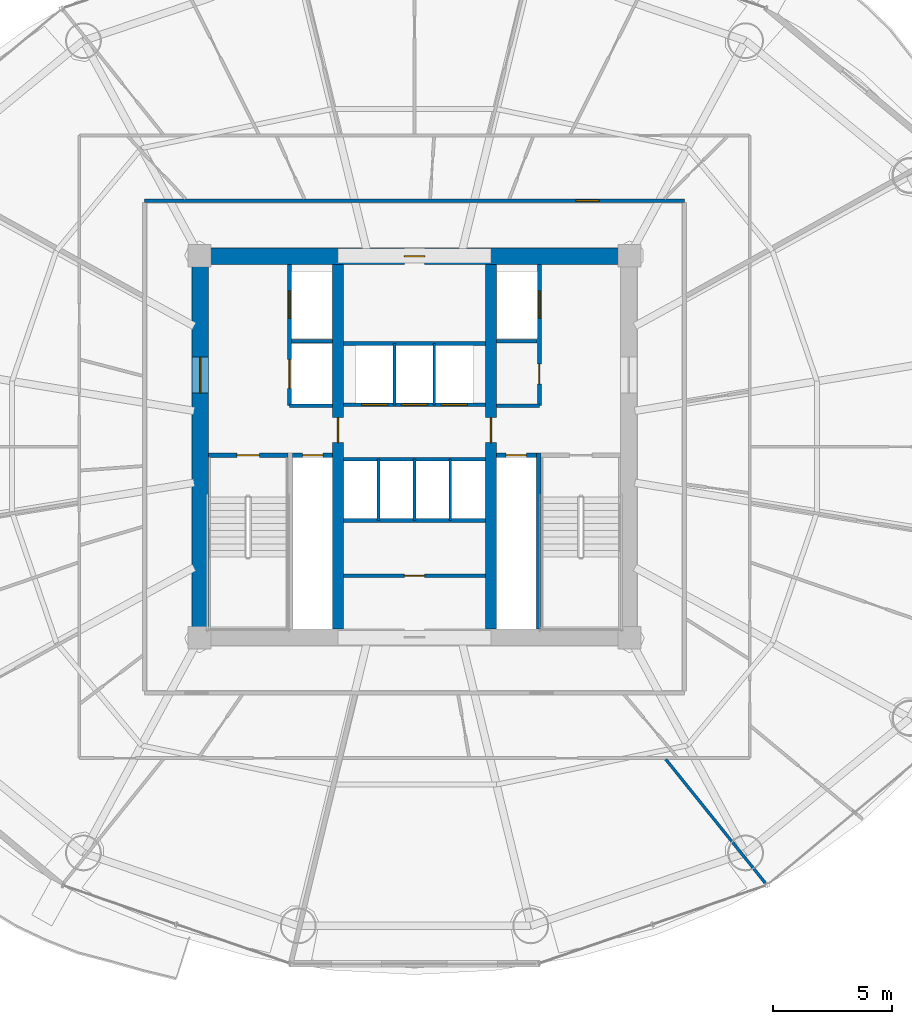
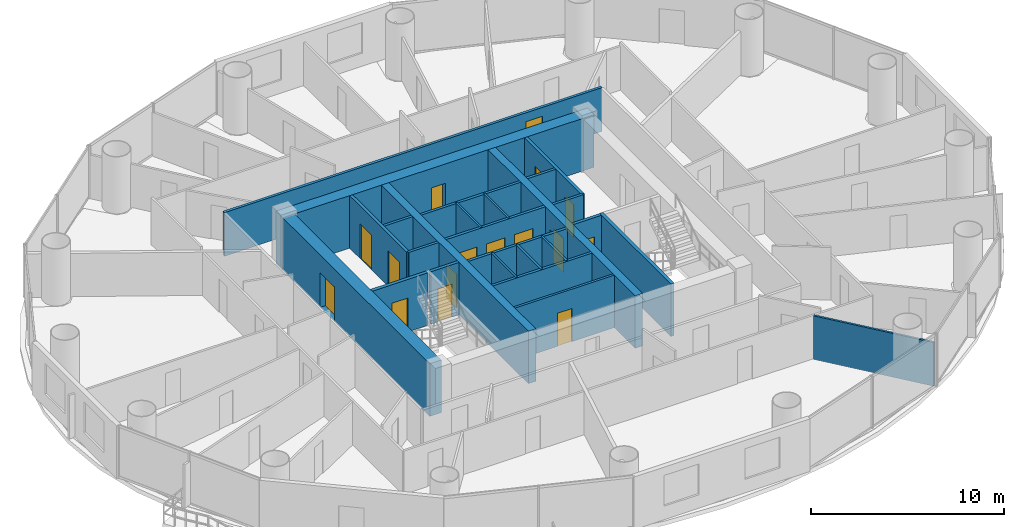
# One storey, part 23 of 29: 26 walls, 16 doors, 16 openings.
"""IFC4 building model written with IfcOpenShell, lengths in metres."""

from ifc_helpers import new_model, si_unit, direction, frame, frame_2d, origin, place, context, subcontext, project, spatial, rectangle, extrude, source, transform, mapped, material, layer, layer_set, type_object, element, fill, save


model = new_model("IFC4")

# Units and contexts
model_context = context("Model", 3, precision=1e-05, world=origin(), true_north=direction((-0.2419218956, 0.970295726276)))
body_context = subcontext(model_context, "Body", "Model", "MODEL_VIEW")
ifc_project = project(units=[si_unit("LENGTHUNIT", "METRE"), si_unit("AREAUNIT", "SQUARE_METRE"), si_unit("VOLUMEUNIT", "CUBIC_METRE"), si_unit("PLANEANGLEUNIT", "RADIAN"), si_unit("MASSUNIT", "GRAM", prefix="KILO")], contexts=[model_context])

# Site, building, storey
site_placement = place(None, origin())
site = spatial("IfcSite", under=ifc_project, at=site_placement, CompositionType="ELEMENT")
building_placement = place(site_placement, origin())
building = spatial("IfcBuilding", under=site, at=building_placement, Name="Cobrevalo Terracotta Tower", CompositionType="ELEMENT")
storey_placement = place(building_placement, frame((0.0, 0.0, 90.60009765625)))
storey = spatial("IfcBuildingStorey", under=building, at=storey_placement, Name="L23", CompositionType="ELEMENT", Elevation=90.60009765625)

# Wall, opening, door
ifc_material_1 = material(Name="Concrete C60", Category="concrete")
ifc_layer_1 = layer(ifc_material_1, 0.699951171875)
ifc_layer_set_1 = layer_set([ifc_layer_1], Name="Concrete C60")
wall_type_1 = type_object("IfcWallType", Name="Core shear wall 700 mm Concrete C60", PredefinedType="SHEAR", material=ifc_layer_set_1)
wall_1_placement = place(storey_placement, frame((28.675048828125, 34.77490234375, 0.0), z_axis=(0.0, 0.0, 1.0), x_axis=(1.0, 0.0, 0.0)))
wall_1 = element("IfcWall", 1, at=wall_1_placement, inside=storey, type_object=wall_type_1, Name="L23 north core shear wall", PredefinedType="SHEAR", context=body_context, shape_type="SweptSolid", body=[
    extrude(rectangle(XDim=18.64990234375, YDim=0.699951171875, at=frame_2d((9.324951171875, 0.0))), origin(), (0.0, 0.0, 1.0), 3.324951171875),
])
opening_1_placement = place(wall_1_placement, frame((8.89990234375, 0.0, 0.0)))
opening_1 = element("IfcOpeningElement", 2, at=opening_1_placement, cuts=wall_1, Name="Opening ID-22", PredefinedType="OPENING", context=body_context, shape_type="SweptSolid", body=[
    extrude(rectangle(XDim=0.85009765625, YDim=2.10009765625, at=frame_2d((0.425048828125, 1.050048828125))), frame((0.0, 0.35986328125, 0.0), z_axis=(0.0, -1.0, 0.0), x_axis=(1.0, 0.0, 0.0)), (0.0, 0.0, 1.0), 0.719970703125),
])
ifc_material_2 = material(Name="Powder-coated steel", Category="steel")
door_type_1 = type_object("IfcDoorType", Name="Riser shaft & meter closet fire access door 850x2100 EI 60", OperationType="NOTDEFINED", PredefinedType="DOOR", material=ifc_material_2)
shared_shape_1 = source(origin(), body_context, "Body", "SweptSolid", [
    extrude(rectangle(XDim=0.85009765625, YDim=2.10009765625, at=frame_2d((0.425048828125, 1.050048828125))), frame((0.0, 0.02490234375, 0.0), z_axis=(0.0, -1.0, 0.0), x_axis=(1.0, 0.0, 0.0)), (0.0, 0.0, 1.0), 0.050048828125),
])
door_1_placement = place(opening_1_placement, frame((0.85009765625, 0.0, 0.0), z_axis=(0.0, 0.0, 1.0), x_axis=(-1.0, 0.0, 0.0)))
door_1 = element("IfcDoor", 3, at=door_1_placement, inside=storey, type_object=door_type_1, Name="L23 core north service door Floor Electrical Switchroom", OperationType="SINGLE_SWING_LEFT", OverallHeight=2.10009765625, OverallWidth=0.85009765625, PredefinedType="DOOR", context=body_context, shape_type="MappedRepresentation", body=[
    mapped(shared_shape_1, transform((0.0, 0.0, 0.0), scale=1.0)),
])
fill(opening_1, door_1)

wall_2_placement = place(storey_placement, frame((29.02490234375, 19.175048828125, 0.0), z_axis=(0.0, 0.0, 1.0), x_axis=(0.0, 1.0, 0.0)))
wall_2 = element("IfcWall", 4, at=wall_2_placement, inside=storey, type_object=wall_type_1, Name="L23 west core shear wall", PredefinedType="SHEAR", context=body_context, shape_type="SweptSolid", body=[
    extrude(rectangle(XDim=15.25, YDim=0.699951171875, at=frame_2d((7.625, 0.0))), origin(), (0.0, 0.0, 1.0), 3.324951171875),
])
opening_2_placement = place(wall_2_placement, frame((9.875, 0.0, 0.0)))
opening_2 = element("IfcOpeningElement", 5, at=opening_2_placement, cuts=wall_2, Name="Opening ID-14", PredefinedType="OPENING", context=body_context, shape_type="SweptSolid", body=[
    extrude(rectangle(XDim=1.5, YDim=2.199951171875, at=frame_2d((0.75, 1.10009765625))), frame((0.0, 0.35986328125, 0.0), z_axis=(0.0, -1.0, 0.0), x_axis=(1.0, 0.0, 0.0)), (0.0, 0.0, 1.0), 0.719970703125),
])
ifc_material_3 = material(Name="Galvanized fire-rated steel", Category="steel")
door_type_2 = type_object("IfcDoorType", Name="Core cross-lobby double fire door 1500x2200 EI 90", OperationType="NOTDEFINED", PredefinedType="DOOR", material=ifc_material_3)
shared_shape_2 = source(origin(), body_context, "Body", "SweptSolid", [
    extrude(rectangle(XDim=1.5, YDim=2.199951171875, at=frame_2d((0.75, 1.10009765625))), frame((0.0, 0.02490234375, 0.0), z_axis=(0.0, -1.0, 0.0), x_axis=(1.0, 0.0, 0.0)), (0.0, 0.0, 1.0), 0.050048828125),
])
door_2_placement = place(opening_2_placement, origin())
door_2 = element("IfcDoor", 6, at=door_2_placement, inside=storey, type_object=door_type_2, Name="L23 west firefighting lobby entrance door", OperationType="DOUBLE_DOOR_SINGLE_SWING", OverallHeight=2.199951171875, OverallWidth=1.5, PredefinedType="DOOR", context=body_context, shape_type="MappedRepresentation", body=[
    mapped(shared_shape_2, transform((0.0, 0.0, 0.0), scale=1.0)),
])
fill(opening_2, door_2)

# Walls
ifc_material_4 = material(Name="Gypsum board on steel stud", Category="steel")
ifc_layer_2 = layer(ifc_material_4, 0.159912109375)
ifc_layer_set_2 = layer_set([ifc_layer_2], Name="Gypsum board on steel stud")
wall_type_2 = type_object("IfcWallType", Name="Fire-rated corridor acoustic partition wall 160 mm", PredefinedType="PARTITIONING", material=ifc_layer_set_2)
wall_3_placement = place(storey_placement, frame((32.860107421875, 31.219970703125, 0.0), z_axis=(0.0, 0.0, 1.0), x_axis=(1.0, 0.0, 0.0)))
element("IfcWall", 7, at=wall_3_placement, inside=storey, type_object=wall_type_2, Name="L23 interior partition IW-L23-FF1-M", PredefinedType="PARTITIONING", context=body_context, shape_type="SweptSolid", body=[
    extrude(rectangle(XDim=1.71484375, YDim=0.159912109375, at=frame_2d((0.857421875, 0.0))), origin(), (0.0, 0.0, 1.0), 3.324951171875),
])
wall_4_placement = place(storey_placement, frame((32.77001953125, 28.52001953125, 0.0), z_axis=(0.0, 0.0, 1.0), x_axis=(1.0, 0.0, 0.0)))
element("IfcWall", 8, at=wall_4_placement, inside=storey, type_object=wall_type_2, Name="L23 interior partition IW-L23-FF1-S", PredefinedType="PARTITIONING", context=body_context, shape_type="SweptSolid", body=[
    extrude(rectangle(XDim=1.804931640625, YDim=0.159912109375, at=frame_2d((0.90234375, 0.0))), origin(), (0.0, 0.0, 1.0), 3.324951171875),
])
wall_5_placement = place(storey_placement, frame((41.425048828125, 31.219970703125, 0.0), z_axis=(0.0, 0.0, 1.0), x_axis=(1.0, 0.0, 0.0)))
element("IfcWall", 9, at=wall_5_placement, inside=storey, type_object=wall_type_2, Name="L23 interior partition IW-L23-FF2-M", PredefinedType="PARTITIONING", context=body_context, shape_type="SweptSolid", body=[
    extrude(rectangle(XDim=1.71484375, YDim=0.159912109375, at=frame_2d((0.857421875, 0.0))), origin(), (0.0, 0.0, 1.0), 3.324951171875),
])
wall_6_placement = place(storey_placement, frame((41.425048828125, 28.52001953125, 0.0), z_axis=(0.0, 0.0, 1.0), x_axis=(1.0, 0.0, 0.0)))
element("IfcWall", 10, at=wall_6_placement, inside=storey, type_object=wall_type_2, Name="L23 interior partition IW-L23-FF2-S", PredefinedType="PARTITIONING", context=body_context, shape_type="SweptSolid", body=[
    extrude(rectangle(XDim=1.804931640625, YDim=0.159912109375, at=frame_2d((0.90234375, 0.0))), origin(), (0.0, 0.0, 1.0), 3.324951171875),
])

# Wall, openings, doors
wall_7_placement = place(storey_placement, frame((35.02490234375, 28.56005859375, 0.0), z_axis=(0.0, 0.0, 1.0), x_axis=(1.0, 0.0, 0.0)))
wall_7 = element("IfcWall", 11, at=wall_7_placement, inside=storey, type_object=wall_type_2, Name="L23 interior partition IW-L23-LB-S", PredefinedType="PARTITIONING", context=body_context, shape_type="SweptSolid", body=[
    extrude(rectangle(XDim=5.9501953125, YDim=0.159912109375, at=frame_2d((2.97509765625, 0.0))), origin(), (0.0, 0.0, 1.0), 3.324951171875),
])
opening_3_placement = place(wall_7_placement, frame((0.760009765625, 0.0, 0.0)))
opening_3 = element("IfcOpeningElement", 12, at=opening_3_placement, cuts=wall_7, Name="Opening LD-01", PredefinedType="OPENING", context=body_context, shape_type="SweptSolid", body=[
    extrude(rectangle(XDim=1.10009765625, YDim=2.199951171875, at=frame_2d((0.550048828125, 1.10009765625))), frame((0.0, 0.08984375, 0.0), z_axis=(0.0, -1.0, 0.0), x_axis=(1.0, 0.0, 0.0)), (0.0, 0.0, 1.0), 0.179931640625),
])
opening_4_placement = place(wall_7_placement, frame((2.425048828125, 0.0, 0.0)))
opening_4 = element("IfcOpeningElement", 13, at=opening_4_placement, cuts=wall_7, Name="Opening LD-01", PredefinedType="OPENING", context=body_context, shape_type="SweptSolid", body=[
    extrude(rectangle(XDim=1.10009765625, YDim=2.199951171875, at=frame_2d((0.550048828125, 1.10009765625))), frame((0.0, 0.08984375, 0.0), z_axis=(0.0, -1.0, 0.0), x_axis=(1.0, 0.0, 0.0)), (0.0, 0.0, 1.0), 0.179931640625),
])
opening_5_placement = place(wall_7_placement, frame((4.090087890625, 0.0, 0.0)))
opening_5 = element("IfcOpeningElement", 14, at=opening_5_placement, cuts=wall_7, Name="Opening LD-01", PredefinedType="OPENING", context=body_context, shape_type="SweptSolid", body=[
    extrude(rectangle(XDim=1.10009765625, YDim=2.199951171875, at=frame_2d((0.550048828125, 1.10009765625))), frame((0.0, 0.08984375, 0.0), z_axis=(0.0, -1.0, 0.0), x_axis=(1.0, 0.0, 0.0)), (0.0, 0.0, 1.0), 0.179931640625),
])
ifc_material_5 = material(Name="Brushed stainless steel", Category="steel")
door_type_3 = type_object("IfcDoorType", Name="Passenger lift landing bi-parting sliding door 1100x2200 EI 90", OperationType="DOUBLE_DOOR_SLIDING", PredefinedType="DOOR", material=ifc_material_5)
shared_shape_3 = source(origin(), body_context, "Body", "SweptSolid", [
    extrude(rectangle(XDim=1.10009765625, YDim=2.199951171875, at=frame_2d((0.550048828125, 1.10009765625))), frame((0.0, 0.02490234375, 0.0), z_axis=(0.0, -1.0, 0.0), x_axis=(1.0, 0.0, 0.0)), (0.0, 0.0, 1.0), 0.050048828125),
])
door_3_placement = place(opening_3_placement, origin())
door_3 = element("IfcDoor", 15, at=door_3_placement, inside=storey, type_object=door_type_3, Name="L23 lift landing door PL-L1", OperationType="DOUBLE_DOOR_SLIDING", OverallHeight=2.199951171875, OverallWidth=1.10009765625, PredefinedType="DOOR", context=body_context, shape_type="MappedRepresentation", body=[
    mapped(shared_shape_3, transform((0.0, 0.0, 0.0), scale=1.0)),
])
fill(opening_3, door_3)
door_4_placement = place(opening_4_placement, origin())
door_4 = element("IfcDoor", 16, at=door_4_placement, inside=storey, type_object=door_type_3, Name="L23 lift landing door PL-L2", OperationType="DOUBLE_DOOR_SLIDING", OverallHeight=2.199951171875, OverallWidth=1.10009765625, PredefinedType="DOOR", context=body_context, shape_type="MappedRepresentation", body=[
    mapped(shared_shape_3, transform((0.0, 0.0, 0.0), scale=1.0)),
])
fill(opening_4, door_4)
door_5_placement = place(opening_5_placement, origin())
door_5 = element("IfcDoor", 17, at=door_5_placement, inside=storey, type_object=door_type_3, Name="L23 lift landing door PL-L3", OperationType="DOUBLE_DOOR_SLIDING", OverallHeight=2.199951171875, OverallWidth=1.10009765625, PredefinedType="DOOR", context=body_context, shape_type="MappedRepresentation", body=[
    mapped(shared_shape_3, transform((0.0, 0.0, 0.0), scale=1.0)),
])
fill(opening_5, door_5)

# Walls
for number, where, z_axis, x_axis, name in (
    (18, (35.02490234375, 31.1201171875, 0.0), (0.0, 0.0, 1.0), (1.0, 0.0, 0.0), "L23 interior partition IW-L23-LB-N"),
    (19, (35.02490234375, 26.280029296875, 0.0), (0.0, 0.0, 1.0), (1.0, 0.0, 0.0), "L23 interior partition IW-L23-MB-N"),
    (20, (35.02490234375, 23.719970703125, 0.0), (0.0, 0.0, 1.0), (1.0, 0.0, 0.0), "L23 interior partition IW-L23-MB-S"),
):
    element("IfcWall", number, at=place(storey_placement, frame(where, z_axis=z_axis, x_axis=x_axis)), inside=storey, type_object=wall_type_2, Name=name, PredefinedType="PARTITIONING", context=body_context, shape_type="SweptSolid", body=[
        extrude(rectangle(XDim=5.9501953125, YDim=0.159912109375, at=frame_2d((2.97509765625, 0.0))), origin(), (0.0, 0.0, 1.0), 3.324951171875),
    ])

# Wall, opening, door
wall_8_placement = place(storey_placement, frame((26.695068359375, 37.10498046875, 0.0), z_axis=(0.0, 0.0, 1.0), x_axis=(1.0, 0.0, 0.0)))
wall_8 = element("IfcWall", 21, at=wall_8_placement, inside=storey, type_object=wall_type_2, Name="L23 interior partition IW-L23-COR-N", PredefinedType="PARTITIONING", context=body_context, shape_type="SweptSolid", body=[
    extrude(rectangle(XDim=22.60986328125, YDim=0.159912109375, at=frame_2d((11.304931640625, 0.0))), origin(), (0.0, 0.0, 1.0), 2.766845703125),
])
opening_6_placement = place(wall_8_placement, frame((18.0576171875, 0.0, 0.0)))
opening_6 = element("IfcOpeningElement", 22, at=opening_6_placement, cuts=wall_8, Name="Opening ID-05", PredefinedType="OPENING", context=body_context, shape_type="SweptSolid", body=[
    extrude(rectangle(XDim=0.97998046875, YDim=2.199951171875, at=frame_2d((0.489990234375, 1.10009765625))), frame((0.0, 0.08984375, 0.0), z_axis=(0.0, -1.0, 0.0), x_axis=(1.0, 0.0, 0.0)), (0.0, 0.0, 1.0), 0.179931640625),
])
ifc_material_6 = material(Name="Solid hardwood timber", Category="wood")
door_type_4 = type_object("IfcDoorType", Name="Residence entrance fire-rated acoustic timber door 980x2200 EI 60", OperationType="NOTDEFINED", PredefinedType="DOOR", material=ifc_material_6)
shared_shape_4 = source(origin(), body_context, "Body", "SweptSolid", [
    extrude(rectangle(XDim=0.97998046875, YDim=2.199951171875, at=frame_2d((0.489990234375, 1.10009765625))), frame((0.0, 0.02490234375, 0.0), z_axis=(0.0, -1.0, 0.0), x_axis=(1.0, 0.0, 0.0)), (0.0, 0.0, 1.0), 0.050048828125),
])
door_6_placement = place(opening_6_placement, origin())
door_6 = element("IfcDoor", 23, at=door_6_placement, inside=storey, type_object=door_type_4, Name="Flat L23A fire-rated apartment entrance door", OperationType="SINGLE_SWING_LEFT", OverallHeight=2.199951171875, OverallWidth=0.97998046875, PredefinedType="DOOR", context=body_context, shape_type="MappedRepresentation", body=[
    mapped(shared_shape_4, transform((0.0, 0.0, 0.0), scale=1.0)),
])
fill(opening_6, door_6)

ifc_layer_3 = layer(ifc_material_4, 0.179931640625)
ifc_layer_set_3 = layer_set([ifc_layer_3], Name="Gypsum board on steel stud")
wall_type_3 = type_object("IfcWallType", Name="Fire-rated shaft & lobby acoustic partition wall 180 mm", PredefinedType="PARTITIONING", material=ifc_layer_set_3)
wall_9_placement = place(storey_placement, frame((32.89990234375, 26.449951171875, 0.0), z_axis=(0.0, 0.0, 1.0), x_axis=(1.0, 0.0, 0.0)))
wall_9 = element("IfcWall", 24, at=wall_9_placement, inside=storey, type_object=wall_type_3, Name="L23 interior partition IW-L23-RSW-N", PredefinedType="PARTITIONING", context=body_context, shape_type="SweptSolid", body=[
    extrude(rectangle(XDim=1.675048828125, YDim=0.179931640625, at=frame_2d((0.83740234375, 0.0))), origin(), (0.0, 0.0, 1.0), 3.324951171875),
])
opening_7_placement = place(wall_9_placement, frame((0.41259765625, 0.0, 0.0)))
opening_7 = element("IfcOpeningElement", 25, at=opening_7_placement, cuts=wall_9, Name="Opening ID-22", PredefinedType="OPENING", context=body_context, shape_type="SweptSolid", body=[
    extrude(rectangle(XDim=0.85009765625, YDim=2.10009765625, at=frame_2d((0.425048828125, 1.050048828125))), frame((0.0, 0.10009765625, 0.0), z_axis=(0.0, -1.0, 0.0), x_axis=(1.0, 0.0, 0.0)), (0.0, 0.0, 1.0), 0.199951171875),
])
door_7_placement = place(opening_7_placement, origin())
door_7 = element("IfcDoor", 26, at=door_7_placement, inside=storey, type_object=door_type_1, Name="L23 riser access door RSW", OperationType="SINGLE_SWING_LEFT", OverallHeight=2.10009765625, OverallWidth=0.85009765625, PredefinedType="DOOR", context=body_context, shape_type="MappedRepresentation", body=[
    mapped(shared_shape_1, transform((0.0, 0.0, 0.0), scale=1.0)),
])
fill(opening_7, door_7)

wall_10_placement = place(storey_placement, frame((41.425048828125, 26.449951171875, 0.0), z_axis=(0.0, 0.0, 1.0), x_axis=(1.0, 0.0, 0.0)))
wall_10 = element("IfcWall", 27, at=wall_10_placement, inside=storey, type_object=wall_type_3, Name="L23 interior partition IW-L23-RSE-N", PredefinedType="PARTITIONING", context=body_context, shape_type="SweptSolid", body=[
    extrude(rectangle(XDim=1.675048828125, YDim=0.179931640625, at=frame_2d((0.83740234375, 0.0))), origin(), (0.0, 0.0, 1.0), 3.324951171875),
])
opening_8_placement = place(wall_10_placement, frame((0.41259765625, 0.0, 0.0)))
opening_8 = element("IfcOpeningElement", 28, at=opening_8_placement, cuts=wall_10, Name="Opening ID-22", PredefinedType="OPENING", context=body_context, shape_type="SweptSolid", body=[
    extrude(rectangle(XDim=0.85009765625, YDim=2.10009765625, at=frame_2d((0.425048828125, 1.050048828125))), frame((0.0, 0.10009765625, 0.0), z_axis=(0.0, -1.0, 0.0), x_axis=(1.0, 0.0, 0.0)), (0.0, 0.0, 1.0), 0.199951171875),
])
door_8_placement = place(opening_8_placement, origin())
door_8 = element("IfcDoor", 29, at=door_8_placement, inside=storey, type_object=door_type_1, Name="L23 riser access door RSE", OperationType="SINGLE_SWING_RIGHT", OverallHeight=2.10009765625, OverallWidth=0.85009765625, PredefinedType="DOOR", context=body_context, shape_type="MappedRepresentation", body=[
    mapped(shared_shape_1, transform((0.0, 0.0, 0.0), scale=1.0)),
])
fill(opening_8, door_8)

# Wall, openings, doors
wall_11_placement = place(storey_placement, frame((32.77001953125, 28.52001953125, 0.0), z_axis=(0.0, 0.0, 1.0), x_axis=(0.0, 1.0, 0.0)))
wall_11 = element("IfcWall", 30, at=wall_11_placement, inside=storey, type_object=wall_type_3, Name="L23 interior partition IW-L23-FF1-W", PredefinedType="PARTITIONING", context=body_context, shape_type="SweptSolid", body=[
    extrude(rectangle(XDim=5.905029296875, YDim=0.179931640625, at=frame_2d((2.95263671875, 0.0))), origin(), (0.0, 0.0, 1.0), 3.324951171875),
])
opening_9_placement = place(wall_11_placement, frame((3.655029296875, 0.0, 0.0)))
opening_9 = element("IfcOpeningElement", 31, at=opening_9_placement, cuts=wall_11, Name="Opening LD-02", PredefinedType="OPENING", context=body_context, shape_type="SweptSolid", body=[
    extrude(rectangle(XDim=1.14990234375, YDim=2.199951171875, at=frame_2d((0.574951171875, 1.10009765625))), frame((0.0, 0.10009765625, 0.0), z_axis=(0.0, -1.0, 0.0), x_axis=(1.0, 0.0, 0.0)), (0.0, 0.0, 1.0), 0.199951171875),
])
opening_10_placement = place(wall_11_placement, frame((0.72998046875, 0.0, 0.0)))
opening_10 = element("IfcOpeningElement", 32, at=opening_10_placement, cuts=wall_11, Name="Opening LD-03", PredefinedType="OPENING", context=body_context, shape_type="SweptSolid", body=[
    extrude(rectangle(XDim=1.199951171875, YDim=2.25, at=frame_2d((0.60009765625, 1.125))), frame((0.0, 0.10009765625, 0.0), z_axis=(0.0, -1.0, 0.0), x_axis=(1.0, 0.0, 0.0)), (0.0, 0.0, 1.0), 0.199951171875),
])
door_type_5 = type_object("IfcDoorType", Name="Firefighting lift landing bi-parting sliding door 1150x2200 EI 120", OperationType="DOUBLE_DOOR_SLIDING", PredefinedType="DOOR", material=ifc_material_5)
shared_shape_5 = source(origin(), body_context, "Body", "SweptSolid", [
    extrude(rectangle(XDim=1.14990234375, YDim=2.199951171875, at=frame_2d((0.574951171875, 1.10009765625))), frame((0.0, 0.02490234375, 0.0), z_axis=(0.0, -1.0, 0.0), x_axis=(1.0, 0.0, 0.0)), (0.0, 0.0, 1.0), 0.050048828125),
])
door_9_placement = place(opening_9_placement, origin())
door_9 = element("IfcDoor", 33, at=door_9_placement, inside=storey, type_object=door_type_5, Name="L23 lift landing door FF-1", OperationType="DOUBLE_DOOR_SLIDING", OverallHeight=2.199951171875, OverallWidth=1.14990234375, PredefinedType="DOOR", context=body_context, shape_type="MappedRepresentation", body=[
    mapped(shared_shape_5, transform((0.0, 0.0, 0.0), scale=1.0)),
])
fill(opening_9, door_9)
door_type_6 = type_object("IfcDoorType", Name="Service lift landing bi-parting sliding door 1200x2250 EI 120", OperationType="DOUBLE_DOOR_SLIDING", PredefinedType="DOOR", material=ifc_material_5)
shared_shape_6 = source(origin(), body_context, "Body", "SweptSolid", [
    extrude(rectangle(XDim=1.199951171875, YDim=2.25, at=frame_2d((0.60009765625, 1.125))), frame((0.0, 0.02490234375, 0.0), z_axis=(0.0, -1.0, 0.0), x_axis=(1.0, 0.0, 0.0)), (0.0, 0.0, 1.0), 0.050048828125),
])
door_10_placement = place(opening_10_placement, origin())
door_10 = element("IfcDoor", 34, at=door_10_placement, inside=storey, type_object=door_type_6, Name="L23 lift landing door SV-1", OperationType="DOUBLE_DOOR_SLIDING", OverallHeight=2.25, OverallWidth=1.199951171875, PredefinedType="DOOR", context=body_context, shape_type="MappedRepresentation", body=[
    mapped(shared_shape_6, transform((0.0, 0.0, 0.0), scale=1.0)),
])
fill(opening_10, door_10)

wall_12_placement = place(storey_placement, frame((43.22998046875, 28.52001953125, 0.0), z_axis=(0.0, 0.0, 1.0), x_axis=(0.0, 1.0, 0.0)))
wall_12 = element("IfcWall", 35, at=wall_12_placement, inside=storey, type_object=wall_type_3, Name="L23 interior partition IW-L23-FF2-E", PredefinedType="PARTITIONING", context=body_context, shape_type="SweptSolid", body=[
    extrude(rectangle(XDim=5.905029296875, YDim=0.179931640625, at=frame_2d((2.95263671875, 0.0))), origin(), (0.0, 0.0, 1.0), 3.324951171875),
])
opening_11_placement = place(wall_12_placement, frame((0.905029296875, 0.0, 0.0)))
opening_11 = element("IfcOpeningElement", 36, at=opening_11_placement, cuts=wall_12, Name="Opening ID-22", PredefinedType="OPENING", context=body_context, shape_type="SweptSolid", body=[
    extrude(rectangle(XDim=0.85009765625, YDim=2.10009765625, at=frame_2d((0.425048828125, 1.050048828125))), frame((0.0, 0.10009765625, 0.0), z_axis=(0.0, -1.0, 0.0), x_axis=(1.0, 0.0, 0.0)), (0.0, 0.0, 1.0), 0.199951171875),
])
opening_12_placement = place(wall_12_placement, frame((3.655029296875, 0.0, 0.0)))
opening_12 = element("IfcOpeningElement", 37, at=opening_12_placement, cuts=wall_12, Name="Opening LD-02", PredefinedType="OPENING", context=body_context, shape_type="SweptSolid", body=[
    extrude(rectangle(XDim=1.14990234375, YDim=2.199951171875, at=frame_2d((0.574951171875, 1.10009765625))), frame((0.0, 0.10009765625, 0.0), z_axis=(0.0, -1.0, 0.0), x_axis=(1.0, 0.0, 0.0)), (0.0, 0.0, 1.0), 0.199951171875),
])
door_11_placement = place(opening_11_placement, frame((0.85009765625, 0.0, 0.0), z_axis=(0.0, 0.0, 1.0), x_axis=(-1.0, 0.0, 0.0)))
door_11 = element("IfcDoor", 38, at=door_11_placement, inside=storey, type_object=door_type_1, Name="L23 housekeeping store door", OperationType="SINGLE_SWING_RIGHT", OverallHeight=2.10009765625, OverallWidth=0.85009765625, PredefinedType="DOOR", context=body_context, shape_type="MappedRepresentation", body=[
    mapped(shared_shape_1, transform((0.0, 0.0, 0.0), scale=1.0)),
])
fill(opening_11, door_11)
door_12_placement = place(opening_12_placement, origin())
door_12 = element("IfcDoor", 39, at=door_12_placement, inside=storey, type_object=door_type_5, Name="L23 lift landing door FF-2", OperationType="DOUBLE_DOOR_SLIDING", OverallHeight=2.199951171875, OverallWidth=1.14990234375, PredefinedType="DOOR", context=body_context, shape_type="MappedRepresentation", body=[
    mapped(shared_shape_5, transform((0.0, 0.0, 0.0), scale=1.0)),
])
fill(opening_12, door_12)

# Walls
ifc_material_7 = material(Name="Autoclaved aerated concrete block", Category="concrete")
ifc_layer_4 = layer(ifc_material_7, 0.1201171875)
ifc_layer_set_4 = layer_set([ifc_layer_4], Name="Autoclaved aerated concrete block")
wall_type_4 = type_object("IfcWallType", Name="Fire-rated wet-room & core service partition 120 mm", PredefinedType="PARTITIONING", material=ifc_layer_set_4)
for number, where, z_axis, x_axis, name in (
    (40, (37.169921875, 28.56005859375, 0.0), (0.0, 0.0, 1.0), (0.0, 1.0, 0.0), "L23 interior partition IW-L23-LB-D1"),
    (41, (38.830078125, 28.56005859375, 0.0), (0.0, 0.0, 1.0), (0.0, 1.0, 0.0), "L23 interior partition IW-L23-LB-D2"),
    (42, (36.5, 23.719970703125, 0.0), (0.0, 0.0, 1.0), (0.0, 1.0, 0.0), "L23 interior partition IW-L23-MB-D1"),
    (43, (39.5, 23.719970703125, 0.0), (0.0, 0.0, 1.0), (0.0, 1.0, 0.0), "L23 interior partition IW-L23-MB-D3"),
):
    element("IfcWall", number, at=place(storey_placement, frame(where, z_axis=z_axis, x_axis=x_axis)), inside=storey, type_object=wall_type_4, Name=name, PredefinedType="PARTITIONING", context=body_context, shape_type="SweptSolid", body=[
        extrude(rectangle(XDim=2.56005859375, YDim=0.1201171875, at=frame_2d((1.280029296875, 0.0))), origin(), (0.0, 0.0, 1.0), 3.324951171875),
    ])

# Wall, opening, door
ifc_material_8 = material(Name="Concrete C55", Category="concrete")
ifc_layer_5 = layer(ifc_material_8, 0.449951171875)
ifc_layer_set_5 = layer_set([ifc_layer_5], Name="Concrete C55")
wall_type_5 = type_object("IfcWallType", Name="Internal core shear web wall 450 mm Concrete C55", PredefinedType="SHEAR", material=ifc_layer_set_5)
wall_13_placement = place(storey_placement, frame((34.800048828125, 19.175048828125, 0.0), z_axis=(0.0, 0.0, 1.0), x_axis=(0.0, 1.0, 0.0)))
wall_13 = element("IfcWall", 44, at=wall_13_placement, inside=storey, type_object=wall_type_5, Name="L23 internal core shear wall WEB-W", PredefinedType="SHEAR", context=body_context, shape_type="SweptSolid", body=[
    extrude(rectangle(XDim=15.25, YDim=0.449951171875, at=frame_2d((7.625, 0.0))), origin(), (0.0, 0.0, 1.0), 3.324951171875),
])
opening_13_placement = place(wall_13_placement, frame((7.800048828125, 0.0, 0.0)))
opening_13 = element("IfcOpeningElement", 45, at=opening_13_placement, cuts=wall_13, Name="Opening ID-11", PredefinedType="OPENING", context=body_context, shape_type="SweptSolid", body=[
    extrude(rectangle(XDim=1.050048828125, YDim=2.14990234375, at=frame_2d((0.52490234375, 1.074951171875))), frame((0.0, 0.23486328125, 0.0), z_axis=(0.0, -1.0, 0.0), x_axis=(1.0, 0.0, 0.0)), (0.0, 0.0, 1.0), 0.469970703125),
])
door_type_7 = type_object("IfcDoorType", Name="Core concourse cross fire door 1050x2150 EI 90", OperationType="NOTDEFINED", PredefinedType="DOOR", material=ifc_material_3)
shared_shape_7 = source(origin(), body_context, "Body", "SweptSolid", [
    extrude(rectangle(XDim=1.050048828125, YDim=2.14990234375, at=frame_2d((0.52490234375, 1.074951171875))), frame((0.0, 0.02490234375, 0.0), z_axis=(0.0, -1.0, 0.0), x_axis=(1.0, 0.0, 0.0)), (0.0, 0.0, 1.0), 0.050048828125),
])
door_13_placement = place(opening_13_placement, origin())
door_13 = element("IfcDoor", 46, at=door_13_placement, inside=storey, type_object=door_type_7, Name="L23 west core concourse cross door", OperationType="SINGLE_SWING_LEFT", OverallHeight=2.14990234375, OverallWidth=1.050048828125, PredefinedType="DOOR", context=body_context, shape_type="MappedRepresentation", body=[
    mapped(shared_shape_7, transform((0.0, 0.0, 0.0), scale=1.0)),
])
fill(opening_13, door_13)

wall_14_placement = place(storey_placement, frame((41.199951171875, 19.175048828125, 0.0), z_axis=(0.0, 0.0, 1.0), x_axis=(0.0, 1.0, 0.0)))
wall_14 = element("IfcWall", 47, at=wall_14_placement, inside=storey, type_object=wall_type_5, Name="L23 internal core shear wall WEB-E", PredefinedType="SHEAR", context=body_context, shape_type="SweptSolid", body=[
    extrude(rectangle(XDim=15.25, YDim=0.449951171875, at=frame_2d((7.625, 0.0))), origin(), (0.0, 0.0, 1.0), 3.324951171875),
])
opening_14_placement = place(wall_14_placement, frame((7.800048828125, 0.0, 0.0)))
opening_14 = element("IfcOpeningElement", 48, at=opening_14_placement, cuts=wall_14, Name="Opening ID-11", PredefinedType="OPENING", context=body_context, shape_type="SweptSolid", body=[
    extrude(rectangle(XDim=1.050048828125, YDim=2.14990234375, at=frame_2d((0.52490234375, 1.074951171875))), frame((0.0, 0.23486328125, 0.0), z_axis=(0.0, -1.0, 0.0), x_axis=(1.0, 0.0, 0.0)), (0.0, 0.0, 1.0), 0.469970703125),
])
door_14_placement = place(opening_14_placement, frame((1.050048828125, 0.0, 0.0), z_axis=(0.0, 0.0, 1.0), x_axis=(-1.0, 0.0, 0.0)))
door_14 = element("IfcDoor", 49, at=door_14_placement, inside=storey, type_object=door_type_7, Name="L23 east core concourse cross door", OperationType="SINGLE_SWING_RIGHT", OverallHeight=2.14990234375, OverallWidth=1.050048828125, PredefinedType="DOOR", context=body_context, shape_type="MappedRepresentation", body=[
    mapped(shared_shape_7, transform((0.0, 0.0, 0.0), scale=1.0)),
])
fill(opening_14, door_14)

# Wall
ifc_layer_6 = layer(ifc_material_7, 0.139892578125)
ifc_layer_set_6 = layer_set([ifc_layer_6], Name="Autoclaved aerated concrete block")
wall_type_6 = type_object("IfcWallType", Name="Moisture-resistant wet-room & core service partition 140 mm", PredefinedType="PARTITIONING", material=ifc_layer_set_6)
wall_15_placement = place(storey_placement, frame((38.0, 23.719970703125, 0.0), z_axis=(0.0, 0.0, 1.0), x_axis=(0.0, 1.0, 0.0)))
element("IfcWall", 50, at=wall_15_placement, inside=storey, type_object=wall_type_6, Name="L23 interior partition IW-L23-MB-D2", PredefinedType="PARTITIONING", context=body_context, shape_type="SweptSolid", body=[
    extrude(rectangle(XDim=2.56005859375, YDim=0.139892578125, at=frame_2d((1.280029296875, 0.0))), origin(), (0.0, 0.0, 1.0), 3.324951171875),
])

# Wall, opening, door
wall_16_placement = place(storey_placement, frame((35.02490234375, 21.407470703125, 0.0), z_axis=(0.0, 0.0, 1.0), x_axis=(1.0, 0.0, 0.0)))
wall_16 = element("IfcWall", 51, at=wall_16_placement, inside=storey, type_object=wall_type_6, Name="L23 interior partition IW-L23-KVS-H", PredefinedType="PARTITIONING", context=body_context, shape_type="SweptSolid", body=[
    extrude(rectangle(XDim=5.9501953125, YDim=0.139892578125, at=frame_2d((2.97509765625, 0.0))), origin(), (0.0, 0.0, 1.0), 3.324951171875),
])
opening_15_placement = place(wall_16_placement, frame((2.550048828125, 0.0, 0.0)))
opening_15 = element("IfcOpeningElement", 52, at=opening_15_placement, cuts=wall_16, Name="Opening ID-22", PredefinedType="OPENING", context=body_context, shape_type="SweptSolid", body=[
    extrude(rectangle(XDim=0.85009765625, YDim=2.10009765625, at=frame_2d((0.425048828125, 1.050048828125))), frame((0.0, 0.080078125, 0.0), z_axis=(0.0, -1.0, 0.0), x_axis=(1.0, 0.0, 0.0)), (0.0, 0.0, 1.0), 0.159912109375),
])
door_15_placement = place(opening_15_placement, origin())
door_15 = element("IfcDoor", 53, at=door_15_placement, inside=storey, type_object=door_type_1, Name="L23 core manifold inner door", OperationType="SINGLE_SWING_LEFT", OverallHeight=2.10009765625, OverallWidth=0.85009765625, PredefinedType="DOOR", context=body_context, shape_type="MappedRepresentation", body=[
    mapped(shared_shape_1, transform((0.0, 0.0, 0.0), scale=1.0)),
])
fill(opening_15, door_15)

# Wall
ifc_layer_7 = layer(ifc_material_4, 0.1201171875)
ifc_layer_set_7 = layer_set([ifc_layer_7], Name="Gypsum board on steel stud")
wall_type_7 = type_object("IfcWallType", Name="Residential internal acoustic stud partition 120 mm", PredefinedType="PARTITIONING", material=ifc_layer_set_7)
wall_17_placement = place(storey_placement, frame((48.52197265625, 13.716796875, 0.0), z_axis=(0.0, 0.0, 1.0), x_axis=(0.626707979732, -0.77925419995, 0.0)))
element("IfcWall", 54, at=wall_17_placement, inside=storey, type_object=wall_type_7, Name="L23 interior partition IW-L23-U3-ORAD1", PredefinedType="PARTITIONING", context=body_context, shape_type="SweptSolid", body=[
    extrude(rectangle(XDim=6.6787109375, YDim=0.1201171875, at=frame_2d((3.33935546875, 0.0))), origin(), (0.0, 0.0, 1.0), 2.766845703125),
])

# Wall, opening, door
ifc_material_9 = material(Name="Concrete C50", Category="concrete")
ifc_layer_8 = layer(ifc_material_9, 0.199951171875)
ifc_layer_set_8 = layer_set([ifc_layer_8], Name="Concrete C50")
wall_type_8 = type_object("IfcWallType", Name="Structural core & podium stair-shaft RC wall 200 mm Concrete C50", PredefinedType="SOLIDWALL", material=ifc_layer_set_8)
wall_18_placement = place(storey_placement, frame((29.375, 26.449951171875, 0.0), z_axis=(0.0, 0.0, 1.0), x_axis=(1.0, 0.0, 0.0)))
wall_18 = element("IfcWall", 55, at=wall_18_placement, inside=storey, type_object=wall_type_8, Name="L23 ST-1 north structural shaft wall", PredefinedType="SOLIDWALL", context=body_context, shape_type="SweptSolid", body=[
    extrude(rectangle(XDim=3.320068359375, YDim=0.199951171875, at=frame_2d((1.66015625, 0.0))), origin(), (0.0, 0.0, 1.0), 3.324951171875),
])
opening_16_placement = place(wall_18_placement, frame((1.18505859375, 0.0, 0.0)))
opening_16 = element("IfcOpeningElement", 56, at=opening_16_placement, cuts=wall_18, Name="Opening ID-04", PredefinedType="OPENING", context=body_context, shape_type="SweptSolid", body=[
    extrude(rectangle(XDim=0.949951171875, YDim=2.14990234375, at=frame_2d((0.47509765625, 1.074951171875))), frame((0.0, 0.10986328125, 0.0), z_axis=(0.0, -1.0, 0.0), x_axis=(1.0, 0.0, 0.0)), (0.0, 0.0, 1.0), 0.219970703125),
])
door_type_8 = type_object("IfcDoorType", Name="Stair & firefighting lobby fire door 950x2150 EI 90", OperationType="NOTDEFINED", PredefinedType="DOOR", material=ifc_material_3)
shared_shape_8 = source(origin(), body_context, "Body", "SweptSolid", [
    extrude(rectangle(XDim=0.949951171875, YDim=2.14990234375, at=frame_2d((0.47509765625, 1.074951171875))), frame((0.0, 0.02490234375, 0.0), z_axis=(0.0, -1.0, 0.0), x_axis=(1.0, 0.0, 0.0)), (0.0, 0.0, 1.0), 0.050048828125),
])
door_16_placement = place(opening_16_placement, origin())
door_16 = element("IfcDoor", 57, at=door_16_placement, inside=storey, type_object=door_type_8, Name="L23 protected stair ST1 fire door", OperationType="SINGLE_SWING_LEFT", OverallHeight=2.14990234375, OverallWidth=0.949951171875, PredefinedType="DOOR", context=body_context, shape_type="MappedRepresentation", body=[
    mapped(shared_shape_8, transform((0.0, 0.0, 0.0), scale=1.0)),
])
fill(opening_16, door_16)

# Wall
wall_19_placement = place(storey_placement, frame((43.205078125, 19.175048828125, 0.0), z_axis=(0.0, 0.0, 1.0), x_axis=(0.0, 1.0, 0.0)))
element("IfcWall", 58, at=wall_19_placement, inside=storey, type_object=wall_type_8, Name="L23 ST-2 west structural shaft wall", PredefinedType="SOLIDWALL", context=body_context, shape_type="SweptSolid", body=[
    extrude(rectangle(XDim=7.375, YDim=0.199951171875, at=frame_2d((3.6875, 0.0))), origin(), (0.0, 0.0, 1.0), 3.324951171875),
])

save(model, "model.ifc")
